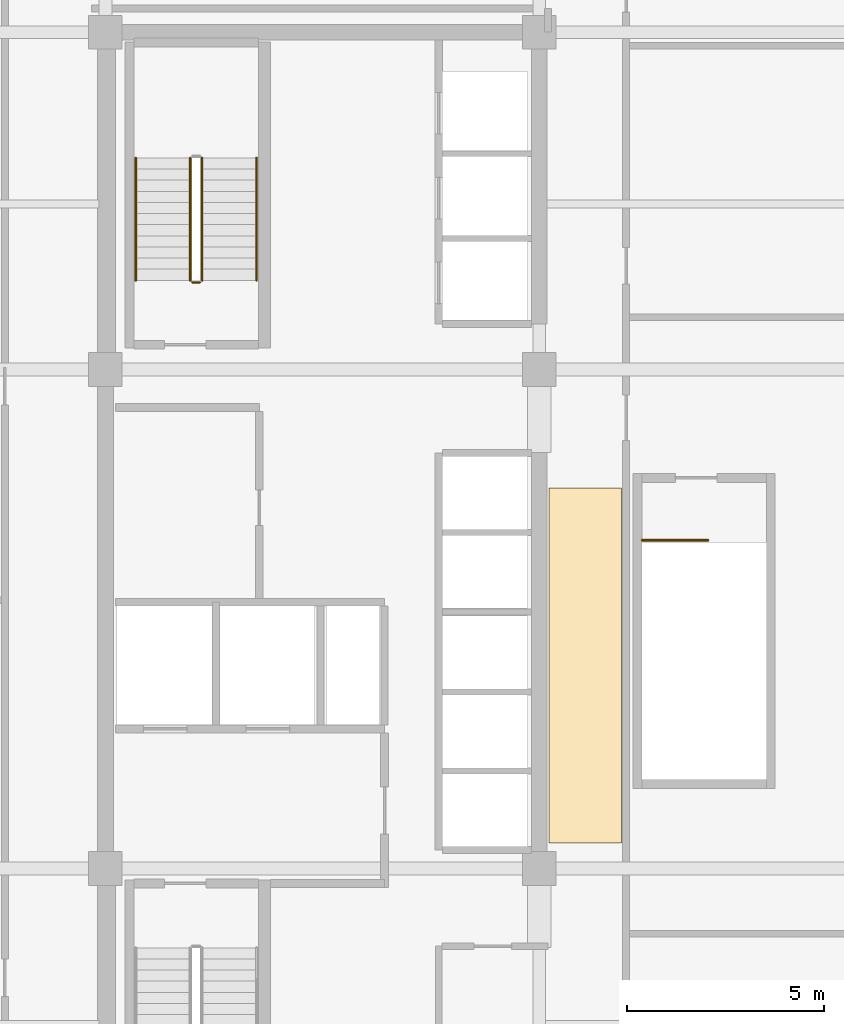
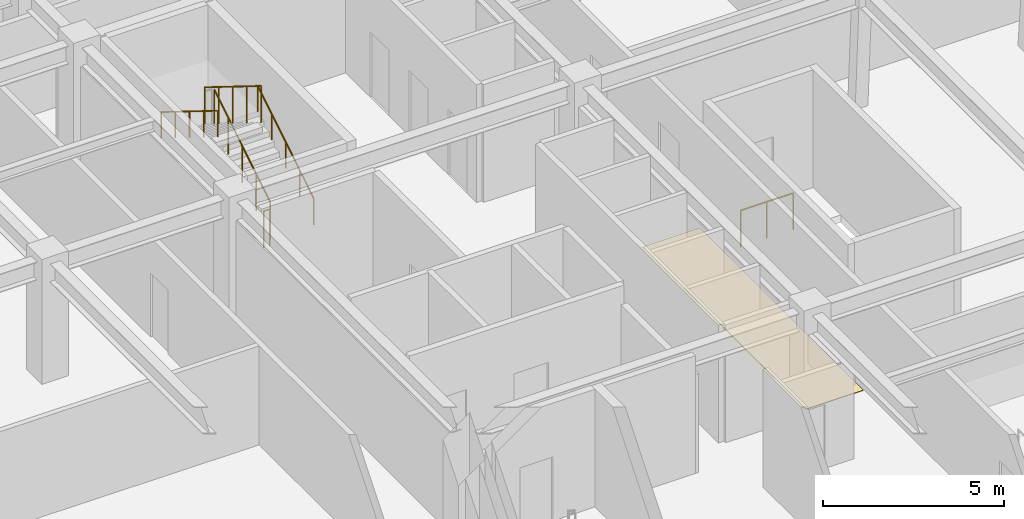
# One storey, part 10 of 12: 6 railings, 1 covering.
"""IFC4 building model written with IfcOpenShell, lengths in metres."""

from ifc_helpers import new_model, si_unit, direction, frame, origin, origin_2d, place, context, subcontext, project, spatial, polyline, circle, outline, extrude, material, layer, layer_set, type_object, element, save


model = new_model("IFC4")

# Units and contexts
model_context = context("Model", 3, precision=1e-05, world=origin(), true_north=direction((0.0, 1.0)))
body_context = subcontext(model_context, "Body", "Model", "MODEL_VIEW")
ifc_project = project(units=[si_unit("LENGTHUNIT", "METRE"), si_unit("AREAUNIT", "SQUARE_METRE"), si_unit("VOLUMEUNIT", "CUBIC_METRE"), si_unit("PLANEANGLEUNIT", "RADIAN"), si_unit("MASSUNIT", "GRAM", prefix="KILO")], contexts=[model_context])

# Site, building, storey
site_placement = place(None, origin())
site = spatial("IfcSite", under=ifc_project, at=site_placement, CompositionType="ELEMENT")
building_placement = place(site_placement, origin())
building = spatial("IfcBuilding", under=site, at=building_placement, Name="Ochreholt Gables", CompositionType="ELEMENT")
storey_placement = place(building_placement, frame((0.0, 0.0, 117.0)))
storey = spatial("IfcBuildingStorey", under=building, at=storey_placement, Name="L30", CompositionType="ELEMENT", Elevation=117.0)

# Covering
ifc_material_1 = material(Name="Acoustic Resilient Timber Flooring", Category="wood")
ifc_layer = layer(ifc_material_1, 0.02001953125, Name="Acoustic Resilient Timber Flooring")
ifc_layer_set = layer_set([ifc_layer], Name="Acoustic Resilient Timber Flooring")
covering_type = type_object("IfcCoveringType", Name="COV-FLR-RES", PredefinedType="FLOORING", material=ifc_layer_set)
covering_placement = place(storey_placement, origin())
element("IfcCovering", 1, at=covering_placement, inside=storey, type_object=covering_type, Name="L30 Floor Finish", PredefinedType="FLOORING", context=body_context, shape_type="SweptSolid", body=[
    extrude(outline(polyline([(35.449951171875, 18.199951171875), (37.280029296875, 18.199951171875), (37.280029296875, 27.199951171875), (35.449951171875, 27.199951171875), (35.449951171875, 18.199951171875)])), origin(), (0.0, 0.0, 1.0), 0.02001953125),
])

# Railings
ifc_material_2 = material(Name="Painted Steel Stair Guardrail", Category="steel")
railing_type_1 = type_object("IfcRailingType", Name="RL-ST-GUARD", PredefinedType="GUARDRAIL", material=ifc_material_2)
railing_1_placement = place(storey_placement, frame((26.64990234375, 32.4599609375, 0.175048828125)))
element("IfcRailing", 2, at=railing_1_placement, inside=storey, type_object=railing_type_1, Name="L30 ST-2 stair guard 1", PredefinedType="GUARDRAIL", context=body_context, shape_type="SweptSolid", body=[
    extrude(circle(Radius=0.02392578125, at=origin_2d()), frame((0.0, 0.0, 1.22607421875), z_axis=(0.0, 0.849684591916, 0.527291280281), x_axis=(-1.0, 0.0, 0.0)), (0.0, 0.0, 1.0), 3.65087890625),
    extrude(circle(Radius=0.02099609375, at=origin_2d()), origin(), (0.0, 0.0, 1.0), 1.201904296875),
    extrude(circle(Radius=0.02099609375, at=origin_2d()), frame((0.0, 0.775390625, 0.481201171875)), (0.0, 0.0, 1.0), 1.201904296875),
    extrude(circle(Radius=0.02099609375, at=origin_2d()), frame((0.0, 1.551025390625, 0.96240234375)), (0.0, 0.0, 1.0), 1.201904296875),
    extrude(circle(Radius=0.02099609375, at=origin_2d()), frame((0.0, 2.32666015625, 1.44384765625)), (0.0, 0.0, 1.0), 1.201904296875),
    extrude(circle(Radius=0.02099609375, at=origin_2d()), frame((0.0, 3.10205078125, 1.925048828125)), (0.0, 0.0, 1.0), 1.201904296875),
])
railing_2_placement = place(storey_placement, frame((26.35009765625, 35.56201171875, 2.27490234375)))
element("IfcRailing", 3, at=railing_2_placement, inside=storey, type_object=railing_type_1, Name="L30 ST-2 stair guard 3", PredefinedType="GUARDRAIL", context=body_context, shape_type="SweptSolid", body=[
    extrude(circle(Radius=0.02392578125, at=origin_2d()), frame((0.0, 0.0, 1.22607421875), z_axis=(0.0, -0.849684591916, 0.527291280281), x_axis=(1.0, 0.0, 0.0)), (0.0, 0.0, 1.0), 3.65087890625),
    extrude(circle(Radius=0.02099609375, at=origin_2d()), origin(), (0.0, 0.0, 1.0), 1.201904296875),
    extrude(circle(Radius=0.02099609375, at=origin_2d()), frame((0.0, -0.775390625, 0.481201171875)), (0.0, 0.0, 1.0), 1.201904296875),
    extrude(circle(Radius=0.02099609375, at=origin_2d()), frame((0.0, -1.551025390625, 0.96240234375)), (0.0, 0.0, 1.0), 1.201904296875),
    extrude(circle(Radius=0.02099609375, at=origin_2d()), frame((0.0, -2.32666015625, 1.44384765625)), (0.0, 0.0, 1.0), 1.201904296875),
    extrude(circle(Radius=0.02099609375, at=origin_2d()), frame((0.0, -3.10205078125, 1.925048828125)), (0.0, 0.0, 1.0), 1.201904296875),
])
railing_3_placement = place(storey_placement, frame((26.60009765625, 32.409912109375, 0.0)))
element("IfcRailing", 4, at=railing_3_placement, inside=storey, type_object=railing_type_1, Name="L30 ST-2 stair guard 4", PredefinedType="GUARDRAIL", context=body_context, shape_type="SweptSolid", body=[
    extrude(circle(Radius=0.02392578125, at=origin_2d()), frame((0.0, 0.0, 1.22607421875), z_axis=(-1.0, 0.0, 0.0), x_axis=(0.0, -1.0, 0.0)), (0.0, 0.0, 1.0), 0.2001953125),
    extrude(circle(Radius=0.02099609375, at=origin_2d()), origin(), (0.0, 0.0, 1.0), 1.201904296875),
    extrude(circle(Radius=0.02099609375, at=origin_2d()), frame((-0.2001953125, 0.0, 0.0)), (0.0, 0.0, 1.0), 1.201904296875),
])
railing_4_placement = place(storey_placement, frame((37.800048828125, 25.8701171875, 0.0)))
element("IfcRailing", 5, at=railing_4_placement, inside=storey, type_object=railing_type_1, Name="L30 ST-C3 top well guard 1", PredefinedType="GUARDRAIL", context=body_context, shape_type="SweptSolid", body=[
    extrude(circle(Radius=0.02392578125, at=origin_2d()), frame((0.0, 0.0, 1.22607421875), z_axis=(1.0, 0.0, 0.0), x_axis=(0.0, 1.0, 0.0)), (0.0, 0.0, 1.0), 1.679931640625),
    extrude(circle(Radius=0.02099609375, at=origin_2d()), origin(), (0.0, 0.0, 1.0), 1.201904296875),
    extrude(circle(Radius=0.02099609375, at=origin_2d()), frame((0.83984375, 0.0, 0.0)), (0.0, 0.0, 1.0), 1.201904296875),
    extrude(circle(Radius=0.02099609375, at=origin_2d()), frame((1.679931640625, 0.0, 0.0)), (0.0, 0.0, 1.0), 1.201904296875),
])
ifc_material_3 = material(Name="Brushed Stainless Steel Wall Handrail", Category="steel")
railing_type_2 = type_object("IfcRailingType", Name="RL-ST-HAND", PredefinedType="HANDRAIL", material=ifc_material_3)
railing_5_placement = place(storey_placement, frame((28.030029296875, 32.4599609375, 0.175048828125)))
element("IfcRailing", 6, at=railing_5_placement, inside=storey, type_object=railing_type_2, Name="L30 ST-2 stair handrail 1", PredefinedType="HANDRAIL", context=body_context, shape_type="SweptSolid", body=[
    extrude(circle(Radius=0.02392578125, at=origin_2d()), frame((0.0, 0.0, 0.8759765625), z_axis=(0.0, 0.849684591916, 0.527291280281), x_axis=(-1.0, 0.0, 0.0)), (0.0, 0.0, 1.0), 3.65087890625),
    extrude(circle(Radius=0.02099609375, at=origin_2d()), origin(), (0.0, 0.0, 1.0), 0.851806640625),
    extrude(circle(Radius=0.02099609375, at=origin_2d()), frame((0.0, 0.775390625, 0.481201171875)), (0.0, 0.0, 1.0), 0.851806640625),
    extrude(circle(Radius=0.02099609375, at=origin_2d()), frame((0.0, 1.551025390625, 0.96240234375)), (0.0, 0.0, 1.0), 0.851806640625),
    extrude(circle(Radius=0.02099609375, at=origin_2d()), frame((0.0, 2.32666015625, 1.44384765625)), (0.0, 0.0, 1.0), 0.851806640625),
    extrude(circle(Radius=0.02099609375, at=origin_2d()), frame((0.0, 3.10205078125, 1.925048828125)), (0.0, 0.0, 1.0), 0.851806640625),
])
railing_6_placement = place(storey_placement, frame((24.969970703125, 35.56201171875, 2.27490234375)))
element("IfcRailing", 7, at=railing_6_placement, inside=storey, type_object=railing_type_2, Name="L30 ST-2 stair handrail 2", PredefinedType="HANDRAIL", context=body_context, shape_type="SweptSolid", body=[
    extrude(circle(Radius=0.02392578125, at=origin_2d()), frame((0.0, 0.0, 0.8759765625), z_axis=(0.0, -0.849684591916, 0.527291280281), x_axis=(1.0, 0.0, 0.0)), (0.0, 0.0, 1.0), 3.65087890625),
    extrude(circle(Radius=0.02099609375, at=origin_2d()), origin(), (0.0, 0.0, 1.0), 0.851806640625),
    extrude(circle(Radius=0.02099609375, at=origin_2d()), frame((0.0, -0.775390625, 0.481201171875)), (0.0, 0.0, 1.0), 0.851806640625),
    extrude(circle(Radius=0.02099609375, at=origin_2d()), frame((0.0, -1.551025390625, 0.96240234375)), (0.0, 0.0, 1.0), 0.851806640625),
    extrude(circle(Radius=0.02099609375, at=origin_2d()), frame((0.0, -2.32666015625, 1.44384765625)), (0.0, 0.0, 1.0), 0.851806640625),
    extrude(circle(Radius=0.02099609375, at=origin_2d()), frame((0.0, -3.10205078125, 1.925048828125)), (0.0, 0.0, 1.0), 0.851806640625),
])

save(model, "model.ifc")
